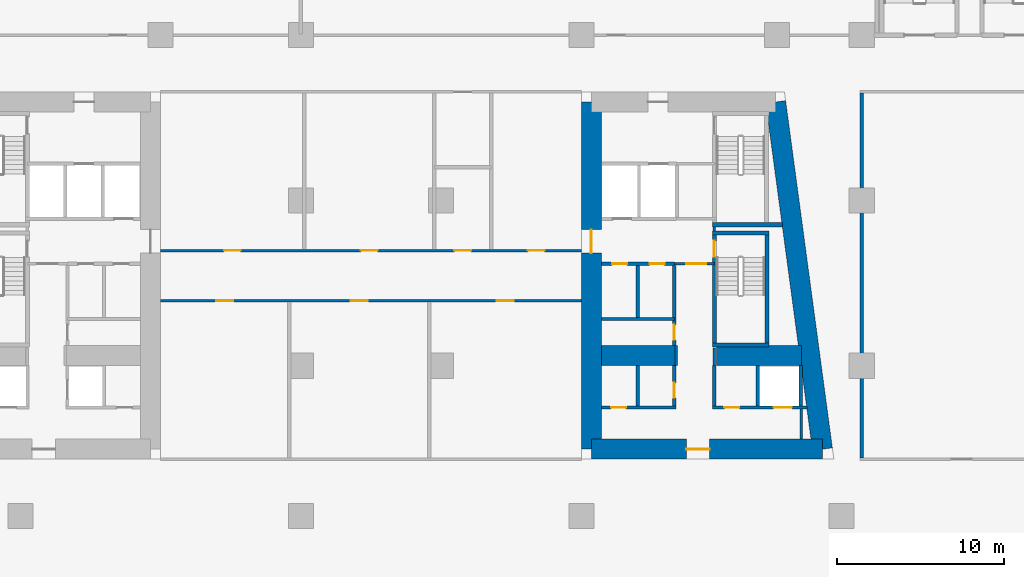
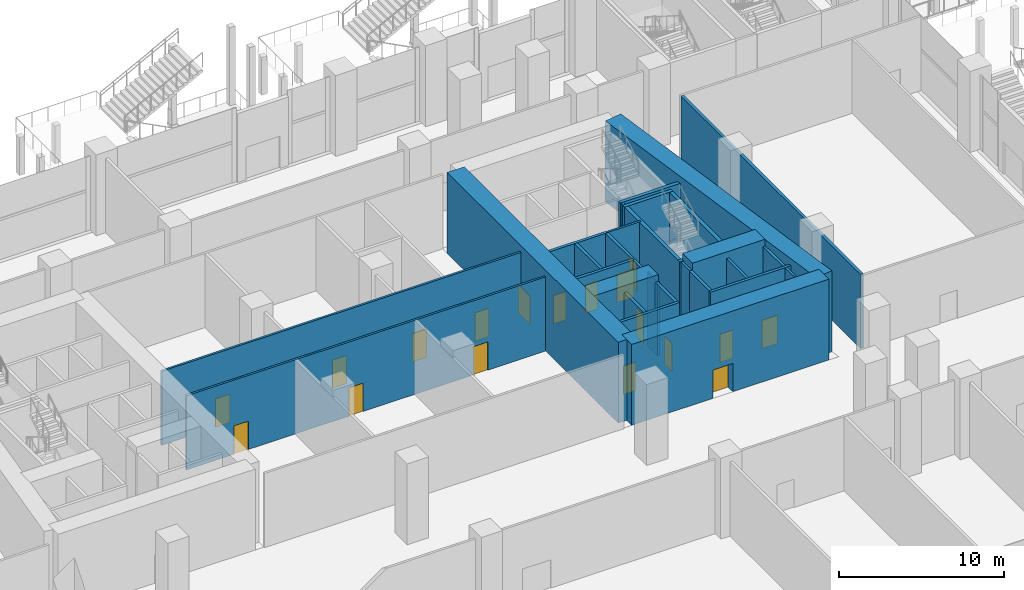
# One storey, part 23 of 47: 29 walls, 18 doors, 18 openings.
"""IFC4 building model written with IfcOpenShell, lengths in metres."""

import ifcopenshell
import ifcopenshell.guid

model = None  # the IFC model being written
_history = None  # IfcOwnerHistory: only IFC2X3 demands one
_inside = {}  # id of a spatial element -> (the spatial element, [elements in it])
_under = {}  # id of a project, library or spatial element -> (it, [spatial elements below it])
_declared = {}  # id of a project -> (the project, [libraries it declares])
_typed = {}  # id of a type object -> (the type object, [elements of that type])
_made_of = {}  # id of a material, layer set ... -> (it, [elements and type objects made of it])


def new_model(schema):
    """Start an empty IFC model of exactly this schema.

    Asked for "IFC4X3", IfcOpenShell would pick the latest addendum, in which some entities
    have other attributes; the version numbers below select the first issue.
    IFC2X3 requires an IfcOwnerHistory on every rooted entity: one is made here for all.
    """
    global model, _history
    if schema == "IFC4X3":
        model = ifcopenshell.file(schema_version=(4, 3, 0, 0))
    else:
        model = ifcopenshell.file(schema=schema)
    _inside.clear()
    _under.clear()
    _declared.clear()
    _typed.clear()
    _made_of.clear()
    _history = None
    if model.schema == "IFC2X3":
        org = make("IfcOrganization", Name="unknown")
        user = make(
            "IfcPersonAndOrganization",
            ThePerson=make("IfcPerson", FamilyName="unknown"),
            TheOrganization=org,
        )
        app = make(
            "IfcApplication",
            ApplicationDeveloper=org,
            Version="unknown",
            ApplicationFullName="unknown",
            ApplicationIdentifier="unknown",
        )
        _history = make(
            "IfcOwnerHistory",
            OwningUser=user,
            OwningApplication=app,
            ChangeAction="ADDED",
            CreationDate=0,
        )
    return model


def make(cls, **values):
    """One entity of the class cls with the attributes given. An attribute that is None is left unset."""
    return model.create_entity(
        cls, **{name: value for name, value in values.items() if value is not None}
    )


def rooted(cls, **values):
    """An entity with a GlobalId (a new one), such as an element, a storey or a relation."""
    return make(cls, GlobalId=ifcopenshell.guid.new(), OwnerHistory=_history, **values)


def si_unit(unit_type, name, prefix=None):
    """IfcSIUnit, for example si_unit("LENGTHUNIT", "METRE", prefix="MILLI")."""
    return make("IfcSIUnit", UnitType=unit_type, Prefix=prefix, Name=name)


def assignment(units):
    """IfcUnitAssignment: the units of a project."""
    return None if units is None else make("IfcUnitAssignment", Units=units)


def point(xyz):
    """IfcCartesianPoint."""
    return None if xyz is None else make("IfcCartesianPoint", Coordinates=xyz)


def direction(xyz):
    """IfcDirection."""
    return None if xyz is None else make("IfcDirection", DirectionRatios=xyz)


def frame(location, z_axis=None, x_axis=None):
    """IfcAxis2Placement3D, a coordinate frame: its origin and axes. An axis left out is left unset."""
    return make(
        "IfcAxis2Placement3D",
        Location=point(location),
        Axis=direction(z_axis),
        RefDirection=direction(x_axis),
    )


def frame_2d(location, x_axis=None):
    """IfcAxis2Placement2D, a coordinate frame in the plane: its origin and x axis."""
    return make(
        "IfcAxis2Placement2D", Location=point(location), RefDirection=direction(x_axis)
    )


def origin():
    """The frame at (0, 0, 0) with its axes left unset."""
    return frame((0.0, 0.0, 0.0))


def place(relative_to, where):
    """IfcLocalPlacement: puts the frame where relative to a parent placement (None: the world)."""
    return make(
        "IfcLocalPlacement", PlacementRelTo=relative_to, RelativePlacement=where
    )


def context(
    kind, dimensions, precision=None, world=None, true_north=None, identifier=None
):
    """IfcGeometricRepresentationContext, for example the 3D "Model" context."""
    return make(
        "IfcGeometricRepresentationContext",
        ContextIdentifier=identifier,
        ContextType=kind,
        CoordinateSpaceDimension=dimensions,
        Precision=precision,
        WorldCoordinateSystem=world,
        TrueNorth=true_north,
    )


def subcontext(parent, identifier, kind, view, scale=None):
    """IfcGeometricRepresentationSubContext, for example "Body" below "Model"."""
    return make(
        "IfcGeometricRepresentationSubContext",
        ContextIdentifier=identifier,
        ContextType=kind,
        ParentContext=parent,
        TargetScale=scale,
        TargetView=view,
    )


def project(units=None, contexts=None):
    """IfcProject with its units and contexts."""
    return rooted(
        "IfcProject",
        Name="project",
        RepresentationContexts=contexts,
        UnitsInContext=assignment(units),
    )


def spatial(cls, under=None, at=None, **own):
    """A site, building, storey or space (cls), placed at a placement, below another one or the project."""
    s = rooted(cls, ObjectPlacement=at, **own)
    if under is not None:
        _under.setdefault(under.id(), (under, []))[1].append(s)
    return s


def profile(cls, at=None, kind="AREA", **sizes):
    """A parametric profile (cls). Its sizes go by their IFC names, for example OverallWidth=200.0."""
    return make(cls, ProfileType=kind, Position=at, **sizes)


def rectangle(**sizes):
    """IfcRectangleProfileDef."""
    return profile("IfcRectangleProfileDef", **sizes)


def extrude(swept, where, along, depth):
    """IfcExtrudedAreaSolid: the profile swept, set in the frame where, extruded along a direction by depth."""
    return make(
        "IfcExtrudedAreaSolid",
        SweptArea=swept,
        Position=where,
        ExtrudedDirection=direction(along),
        Depth=depth,
    )


def shape(context_of_items, identifier, shape_type, items):
    """IfcShapeRepresentation: the items that make up one representation, for example the "Body"."""
    return make(
        "IfcShapeRepresentation",
        ContextOfItems=context_of_items,
        RepresentationIdentifier=identifier,
        RepresentationType=shape_type,
        Items=items,
    )


def material(Name=None, Category=None):
    """IfcMaterial."""
    return make("IfcMaterial", Name=Name, Category=Category)


def layer(
    of_material, thickness, ventilated=None, Name=None, Category=None, Priority=None
):
    """IfcMaterialLayer: one layer of a wall or slab, of a material (None: an air gap)."""
    return make(
        "IfcMaterialLayer",
        Material=of_material,
        LayerThickness=thickness,
        IsVentilated=ventilated,
        Name=Name,
        Category=Category,
        Priority=Priority,
    )


def layer_set(layers, Name=None):
    """IfcMaterialLayerSet."""
    return make("IfcMaterialLayerSet", MaterialLayers=layers, LayerSetName=Name)


def made_of(thing, what):
    """Note that an element or type object is made of a material, layer set ...; save() writes the relation."""
    if what is not None:
        _made_of.setdefault(what.id(), (what, []))[1].append(thing)
    return thing


def type_object(cls, material=None, **own):
    """A type object (cls), such as IfcWallType, which elements share."""
    return made_of(rooted(cls, **own), material)


def element(
    cls,
    number,
    at=None,
    inside=None,
    cuts=None,
    type_object=None,
    material=None,
    context=None,
    identifier="Body",
    shape_type=None,
    held_by="IfcProductDefinitionShape",
    body=None,
    shapes=None,
    **own,
):
    """One element of the class cls, such as IfcWall. Its Tag is "e" and its number.

    at: its placement. inside: the storey or other place that contains it. cuts: it is an
    opening in that element (IfcRelVoidsElement). A single representation is given by context,
    identifier, shape_type and body (its items); several are given by shapes. held_by: the class
    of the entity that holds the representations. save() writes the other relations.
    """
    e = rooted(cls, Tag="e%d" % number, ObjectPlacement=at, **own)
    if body is not None:
        shapes = [shape(context, identifier, shape_type, body)]
    if shapes is not None:
        e.Representation = make(held_by, Representations=shapes)
    if inside is not None:
        _inside.setdefault(inside.id(), (inside, []))[1].append(e)
    if cuts is not None:
        rooted(
            "IfcRelVoidsElement", RelatingBuildingElement=cuts, RelatedOpeningElement=e
        )
    if type_object is not None:
        _typed.setdefault(type_object.id(), (type_object, []))[1].append(e)
    return made_of(e, material)


def fill(opening, filler):
    """IfcRelFillsElement: the door or window that sits in an opening."""
    return rooted(
        "IfcRelFillsElement",
        RelatingOpeningElement=opening,
        RelatedBuildingElement=filler,
    )


def aggregate(whole, parts):
    """IfcRelAggregates: a whole, such as a stair, and the parts it consists of."""
    return rooted("IfcRelAggregates", RelatingObject=whole, RelatedObjects=parts)


def save(model, path):
    """Write the relations noted so far, then the file.

    IfcRelAggregates (storeys below a building ...), IfcRelContainedInSpatialStructure (elements
    in a storey), IfcRelDefinesByType, IfcRelAssociatesMaterial and IfcRelDeclares: one each for
    every whole, place, type object, material and project.
    """
    for whole, parts in _under.values():
        aggregate(whole, parts)
    for where, things in _inside.values():
        rooted(
            "IfcRelContainedInSpatialStructure",
            RelatedElements=things,
            RelatingStructure=where,
        )
    for kind, things in _typed.values():
        rooted("IfcRelDefinesByType", RelatedObjects=things, RelatingType=kind)
    for what, things in _made_of.values():
        rooted("IfcRelAssociatesMaterial", RelatedObjects=things, RelatingMaterial=what)
    for by, libraries in _declared.values():
        rooted("IfcRelDeclares", RelatingContext=by, RelatedDefinitions=libraries)
    model.write(path)


model = new_model("IFC4")

# Units and contexts
model_context = context("Model", 3, precision=1e-05, world=origin(), true_north=direction((0.0, 1.0)))
body_context = subcontext(model_context, "Body", "Model", "MODEL_VIEW")
ifc_project = project(units=[si_unit("LENGTHUNIT", "METRE"), si_unit("AREAUNIT", "SQUARE_METRE"), si_unit("VOLUMEUNIT", "CUBIC_METRE"), si_unit("PLANEANGLEUNIT", "RADIAN"), si_unit("MASSUNIT", "GRAM", prefix="KILO")], contexts=[model_context])

# Site, building, storey
site_placement = place(None, origin())
site = spatial("IfcSite", under=ifc_project, at=site_placement, CompositionType="ELEMENT")
building_placement = place(site_placement, origin())
building = spatial("IfcBuilding", under=site, at=building_placement, Name="Candeia Pilgrim Tower and Theatre", CompositionType="ELEMENT")
storey_placement = place(building_placement, frame((0.0, 0.0, 23.0)))
storey = spatial("IfcBuildingStorey", under=building, at=storey_placement, Name="L03", CompositionType="ELEMENT", Elevation=23.0)

# Wall
ifc_material_1 = material(Name="Concrete C80/95", Category="concrete")
ifc_layer_1 = layer(ifc_material_1, 1.199951171875)
ifc_layer_set_1 = layer_set([ifc_layer_1], Name="Core wall 1200 C80/95")
wall_type_1 = type_object("IfcWallType", Name="Core wall 1200 C80/95", PredefinedType="SHEAR", material=ifc_layer_set_1)
wall_1_placement = place(storey_placement, frame((137.64453125, 131.800048828125, 0.0), z_axis=(0.0, 0.0, 1.0), x_axis=(0.133413989637, -0.99106039542, 0.0)))
element("IfcWall", 1, at=wall_1_placement, inside=storey, type_object=wall_type_1, Name="Core wall E2", PredefinedType="SHEAR", context=body_context, shape_type="SweptSolid", body=[
    extrude(rectangle(XDim=20.987548828125, YDim=1.199951171875, at=frame_2d((10.49365234375, 0.0))), origin(), (0.0, 0.0, 1.0), 6.0),
])

# Wall, opening, door
wall_2_placement = place(storey_placement, frame((140.444580078125, 111.0, 0.0), z_axis=(0.0, 0.0, 1.0), x_axis=(-1.0, 0.0, 0.0)))
wall_2 = element("IfcWall", 2, at=wall_2_placement, inside=storey, type_object=wall_type_1, Name="Core wall E3", PredefinedType="SHEAR", context=body_context, shape_type="SweptSolid", body=[
    extrude(rectangle(XDim=13.844482421875, YDim=1.199951171875, at=frame_2d((6.92236328125, 0.0))), origin(), (0.0, 0.0, 1.0), 6.0),
])
opening_1_placement = place(wall_2_placement, frame((6.751220703125, 0.0, 0.0)))
opening_1 = element("IfcOpeningElement", 3, at=opening_1_placement, cuts=wall_2, Name="Opening L03-D049", PredefinedType="OPENING", context=body_context, shape_type="SweptSolid", body=[
    extrude(rectangle(XDim=1.39990234375, YDim=2.10009765625, at=frame_2d((0.699951171875, 1.050048828125))), frame((0.0, 0.60986328125, 0.0), z_axis=(0.0, -1.0, 0.0), x_axis=(1.0, 0.0, 0.0)), (0.0, 0.0, 1.0), 1.219970703125),
])
ifc_material_2 = material(Name="Steel fire door set", Category="steel")
door_type_1 = type_object("IfcDoorType", Name="D-1400-FD60", OperationType="NOTDEFINED", PredefinedType="DOOR", material=ifc_material_2)
door_1_placement = place(opening_1_placement, origin())
door_1 = element("IfcDoor", 4, at=door_1_placement, inside=storey, type_object=door_type_1, Name="Door L03-D049", OperationType="SINGLE_SWING_RIGHT", OverallHeight=2.10009765625, OverallWidth=1.39990234375, PredefinedType="DOOR", context=body_context, shape_type="SweptSolid", body=[
    extrude(rectangle(XDim=1.39990234375, YDim=2.10009765625, at=frame_2d((0.699951171875, 1.050048828125))), frame((0.0, 0.02490234375, 0.0), z_axis=(0.0, -1.0, 0.0), x_axis=(1.0, 0.0, 0.0)), (0.0, 0.0, 1.0), 0.050048828125),
])
fill(opening_1, door_1)

wall_3_placement = place(storey_placement, frame((126.60009765625, 111.0, 0.0), z_axis=(0.0, 0.0, 1.0), x_axis=(0.0, 1.0, 0.0)))
wall_3 = element("IfcWall", 5, at=wall_3_placement, inside=storey, type_object=wall_type_1, Name="Core wall E4", PredefinedType="SHEAR", context=body_context, shape_type="SweptSolid", body=[
    extrude(rectangle(XDim=20.800048828125, YDim=1.199951171875, at=frame_2d((10.39990234375, 0.0))), origin(), (0.0, 0.0, 1.0), 6.0),
])
opening_2_placement = place(wall_3_placement, frame((11.75, 0.0, 0.0)))
opening_2 = element("IfcOpeningElement", 6, at=opening_2_placement, cuts=wall_3, Name="Opening L03-D051", PredefinedType="OPENING", context=body_context, shape_type="SweptSolid", body=[
    extrude(rectangle(XDim=1.39990234375, YDim=2.10009765625, at=frame_2d((0.699951171875, 1.050048828125))), frame((0.0, 0.60986328125, 0.0), z_axis=(0.0, -1.0, 0.0), x_axis=(1.0, 0.0, 0.0)), (0.0, 0.0, 1.0), 1.219970703125),
])
door_2_placement = place(opening_2_placement, origin())
door_2 = element("IfcDoor", 7, at=door_2_placement, inside=storey, type_object=door_type_1, Name="Door L03-D051", OperationType="SINGLE_SWING_RIGHT", OverallHeight=2.10009765625, OverallWidth=1.39990234375, PredefinedType="DOOR", context=body_context, shape_type="SweptSolid", body=[
    extrude(rectangle(XDim=1.39990234375, YDim=2.10009765625, at=frame_2d((0.699951171875, 1.050048828125))), frame((0.0, 0.02490234375, 0.0), z_axis=(0.0, -1.0, 0.0), x_axis=(1.0, 0.0, 0.0)), (0.0, 0.0, 1.0), 0.050048828125),
])
fill(opening_2, door_2)

# Walls
wall_4_placement = place(storey_placement, frame((127.199951171875, 116.60009765625, 0.0), z_axis=(0.0, 0.0, 1.0), x_axis=(1.0, 0.0, 0.0)))
element("IfcWall", 8, at=wall_4_placement, inside=storey, type_object=wall_type_1, Name="Core wall E5", PredefinedType="SHEAR", context=body_context, shape_type="SweptSolid", body=[
    extrude(rectangle(XDim=4.5, YDim=1.199951171875, at=frame_2d((2.25, 0.0))), origin(), (0.0, 0.0, 1.0), 6.0),
])
wall_5_placement = place(storey_placement, frame((134.10009765625, 116.60009765625, 0.0), z_axis=(0.0, 0.0, 1.0), x_axis=(1.0, 0.0, 0.0)))
element("IfcWall", 9, at=wall_5_placement, inside=storey, type_object=wall_type_1, Name="Core wall E6", PredefinedType="SHEAR", context=body_context, shape_type="SweptSolid", body=[
    extrude(rectangle(XDim=5.076904296875, YDim=1.199951171875, at=frame_2d((2.53857421875, 0.0))), origin(), (0.0, 0.0, 1.0), 6.0),
])

# Wall, opening, door
ifc_material_3 = material(Name="Gypsum board partition on steel studs", Category="steel")
ifc_layer_2 = layer(ifc_material_3, 0.14990234375)
ifc_layer_set_2 = layer_set([ifc_layer_2], Name="PW-150 lobby wall")
wall_type_2 = type_object("IfcWallType", Name="PW-150 lobby wall", PredefinedType="PARTITIONING", material=ifc_layer_set_2)
wall_6_placement = place(storey_placement, frame((131.572998046875, 122.10009765625, 0.0), z_axis=(0.0, 0.0, 1.0), x_axis=(1.0, 0.0, 0.0)))
wall_6 = element("IfcWall", 10, at=wall_6_placement, inside=storey, type_object=wall_type_2, Name="Lobby wall L03-017", PredefinedType="PARTITIONING", context=body_context, shape_type="SweptSolid", body=[
    extrude(rectangle(XDim=2.39990234375, YDim=0.14990234375, at=frame_2d((1.199951171875, 0.0))), origin(), (0.0, 0.0, 1.0), 5.5),
])
opening_3_placement = place(wall_6_placement, frame((0.72509765625, 0.0, 0.0)))
opening_3 = element("IfcOpeningElement", 11, at=opening_3_placement, cuts=wall_6, Name="Opening L03-D037", PredefinedType="OPENING", context=body_context, shape_type="SweptSolid", body=[
    extrude(rectangle(XDim=1.199951171875, YDim=2.10009765625, at=frame_2d((0.60009765625, 1.050048828125))), frame((0.0, 0.0849609375, 0.0), z_axis=(0.0, -1.0, 0.0), x_axis=(1.0, 0.0, 0.0)), (0.0, 0.0, 1.0), 0.169921875),
])
door_type_2 = type_object("IfcDoorType", Name="D-1200-FD60", OperationType="NOTDEFINED", PredefinedType="DOOR", material=ifc_material_2)
door_3_placement = place(opening_3_placement, origin())
door_3 = element("IfcDoor", 12, at=door_3_placement, inside=storey, type_object=door_type_2, Name="Door L03-D037", OperationType="SINGLE_SWING_LEFT", OverallHeight=2.10009765625, OverallWidth=1.199951171875, PredefinedType="DOOR", context=body_context, shape_type="SweptSolid", body=[
    extrude(rectangle(XDim=1.199951171875, YDim=2.10009765625, at=frame_2d((0.60009765625, 1.050048828125))), frame((0.0, 0.02490234375, 0.0), z_axis=(0.0, -1.0, 0.0), x_axis=(1.0, 0.0, 0.0)), (0.0, 0.0, 1.0), 0.050048828125),
])
fill(opening_3, door_3)

# Walls
wall_7_placement = place(storey_placement, frame((131.699951171875, 116.0, 0.0), z_axis=(0.0, 0.0, 1.0), x_axis=(0.0, 1.0, 0.0)))
element("IfcWall", 13, at=wall_7_placement, inside=storey, type_object=wall_type_2, Name="Lobby wall L03-080", PredefinedType="PARTITIONING", context=body_context, shape_type="SweptSolid", body=[
    extrude(rectangle(XDim=1.199951171875, YDim=0.14990234375, at=frame_2d((0.60009765625, 0.0))), origin(), (0.0, 0.0, 1.0), 5.5),
])
wall_8_placement = place(storey_placement, frame((133.972900390625, 116.0, 0.0), z_axis=(0.0, 0.0, 1.0), x_axis=(0.0, 1.0, 0.0)))
element("IfcWall", 14, at=wall_8_placement, inside=storey, type_object=wall_type_2, Name="Lobby wall L03-083", PredefinedType="PARTITIONING", context=body_context, shape_type="SweptSolid", body=[
    extrude(rectangle(XDim=1.074951171875, YDim=0.14990234375, at=frame_2d((0.53759765625, 0.0))), origin(), (0.0, 0.0, 1.0), 5.5),
])
wall_9_placement = place(storey_placement, frame((133.972900390625, 124.074951171875, 0.0), z_axis=(0.0, 0.0, 1.0), x_axis=(0.0, 1.0, 0.0)))
element("IfcWall", 15, at=wall_9_placement, inside=storey, type_object=wall_type_2, Name="Lobby wall L03-084", PredefinedType="PARTITIONING", context=body_context, shape_type="SweptSolid", body=[
    extrude(rectangle(XDim=0.25, YDim=0.14990234375, at=frame_2d((0.125, 0.0))), origin(), (0.0, 0.0, 1.0), 5.5),
])
wall_10_placement = place(storey_placement, frame((139.1689453125, 111.60009765625, 0.0), z_axis=(0.0, 0.0, 1.0), x_axis=(0.0, 1.0, 0.0)))
element("IfcWall", 16, at=wall_10_placement, inside=storey, type_object=wall_type_2, Name="Lobby wall L03-092", PredefinedType="PARTITIONING", context=body_context, shape_type="SweptSolid", body=[
    extrude(rectangle(XDim=1.7998046875, YDim=0.14990234375, at=frame_2d((0.89990234375, 0.0))), origin(), (0.0, 0.0, 1.0), 5.5),
])

# Wall, openings, doors
ifc_layer_3 = layer(ifc_material_3, 0.14990234375)
ifc_layer_set_3 = layer_set([ifc_layer_3], Name="PW-150 unit wall")
wall_type_3 = type_object("IfcWallType", Name="PW-150 unit wall", PredefinedType="PARTITIONING", material=ifc_layer_set_3)
wall_11_placement = place(storey_placement, frame((100.800048828125, 119.89990234375, 0.0), z_axis=(0.0, 0.0, 1.0), x_axis=(1.0, 0.0, 0.0)))
wall_11 = element("IfcWall", 17, at=wall_11_placement, inside=storey, type_object=wall_type_3, Name="Unit wall L03-013", PredefinedType="PARTITIONING", context=body_context, shape_type="SweptSolid", body=[
    extrude(rectangle(XDim=25.199951171875, YDim=0.14990234375, at=frame_2d((12.60009765625, 0.0))), origin(), (0.0, 0.0, 1.0), 5.5),
])
opening_4_placement = place(wall_11_placement, frame((3.35009765625, 0.0, 0.0)))
opening_4 = element("IfcOpeningElement", 18, at=opening_4_placement, cuts=wall_11, Name="Opening L03-D011", PredefinedType="OPENING", context=body_context, shape_type="SweptSolid", body=[
    extrude(rectangle(XDim=1.0, YDim=2.10009765625, at=frame_2d((0.5, 1.050048828125))), frame((0.0, 0.0849609375, 0.0), z_axis=(0.0, -1.0, 0.0), x_axis=(1.0, 0.0, 0.0)), (0.0, 0.0, 1.0), 0.169921875),
])
opening_5_placement = place(wall_11_placement, frame((11.39990234375, 0.0, 0.0)))
opening_5 = element("IfcOpeningElement", 19, at=opening_5_placement, cuts=wall_11, Name="Opening L03-D012", PredefinedType="OPENING", context=body_context, shape_type="SweptSolid", body=[
    extrude(rectangle(XDim=1.0, YDim=2.10009765625, at=frame_2d((0.5, 1.050048828125))), frame((0.0, 0.0849609375, 0.0), z_axis=(0.0, -1.0, 0.0), x_axis=(1.0, 0.0, 0.0)), (0.0, 0.0, 1.0), 0.169921875),
])
opening_6_placement = place(wall_11_placement, frame((20.14990234375, 0.0, 0.0)))
opening_6 = element("IfcOpeningElement", 20, at=opening_6_placement, cuts=wall_11, Name="Opening L03-D013", PredefinedType="OPENING", context=body_context, shape_type="SweptSolid", body=[
    extrude(rectangle(XDim=1.0, YDim=2.10009765625, at=frame_2d((0.5, 1.050048828125))), frame((0.0, 0.0849609375, 0.0), z_axis=(0.0, -1.0, 0.0), x_axis=(1.0, 0.0, 0.0)), (0.0, 0.0, 1.0), 0.169921875),
])
door_type_3 = type_object("IfcDoorType", Name="D-1000-FD30S", OperationType="NOTDEFINED", PredefinedType="DOOR", material=ifc_material_2)
door_4_placement = place(opening_4_placement, origin())
door_4 = element("IfcDoor", 21, at=door_4_placement, inside=storey, type_object=door_type_3, Name="Door L03-D011", OperationType="SINGLE_SWING_RIGHT", OverallHeight=2.10009765625, OverallWidth=1.0, PredefinedType="DOOR", context=body_context, shape_type="SweptSolid", body=[
    extrude(rectangle(XDim=1.0, YDim=2.10009765625, at=frame_2d((0.5, 1.050048828125))), frame((0.0, 0.02490234375, 0.0), z_axis=(0.0, -1.0, 0.0), x_axis=(1.0, 0.0, 0.0)), (0.0, 0.0, 1.0), 0.050048828125),
])
fill(opening_4, door_4)
door_5_placement = place(opening_5_placement, origin())
door_5 = element("IfcDoor", 22, at=door_5_placement, inside=storey, type_object=door_type_3, Name="Door L03-D012", OperationType="SINGLE_SWING_LEFT", OverallHeight=2.10009765625, OverallWidth=1.0, PredefinedType="DOOR", context=body_context, shape_type="SweptSolid", body=[
    extrude(rectangle(XDim=1.0, YDim=2.10009765625, at=frame_2d((0.5, 1.050048828125))), frame((0.0, 0.02490234375, 0.0), z_axis=(0.0, -1.0, 0.0), x_axis=(1.0, 0.0, 0.0)), (0.0, 0.0, 1.0), 0.050048828125),
])
fill(opening_5, door_5)
door_6_placement = place(opening_6_placement, origin())
door_6 = element("IfcDoor", 23, at=door_6_placement, inside=storey, type_object=door_type_3, Name="Door L03-D013", OperationType="SINGLE_SWING_RIGHT", OverallHeight=2.10009765625, OverallWidth=1.0, PredefinedType="DOOR", context=body_context, shape_type="SweptSolid", body=[
    extrude(rectangle(XDim=1.0, YDim=2.10009765625, at=frame_2d((0.5, 1.050048828125))), frame((0.0, 0.02490234375, 0.0), z_axis=(0.0, -1.0, 0.0), x_axis=(1.0, 0.0, 0.0)), (0.0, 0.0, 1.0), 0.050048828125),
])
fill(opening_6, door_6)

wall_12_placement = place(storey_placement, frame((100.800048828125, 122.89990234375, 0.0), z_axis=(0.0, 0.0, 1.0), x_axis=(1.0, 0.0, 0.0)))
wall_12 = element("IfcWall", 24, at=wall_12_placement, inside=storey, type_object=wall_type_3, Name="Unit wall L03-018", PredefinedType="PARTITIONING", context=body_context, shape_type="SweptSolid", body=[
    extrude(rectangle(XDim=25.199951171875, YDim=0.14990234375, at=frame_2d((12.60009765625, 0.0))), origin(), (0.0, 0.0, 1.0), 5.5),
])
opening_7_placement = place(wall_12_placement, frame((3.800048828125, 0.0, 0.0)))
opening_7 = element("IfcOpeningElement", 25, at=opening_7_placement, cuts=wall_12, Name="Opening L03-D014", PredefinedType="OPENING", context=body_context, shape_type="SweptSolid", body=[
    extrude(rectangle(XDim=1.0, YDim=2.10009765625, at=frame_2d((0.5, 1.050048828125))), frame((0.0, 0.0849609375, 0.0), z_axis=(0.0, -1.0, 0.0), x_axis=(1.0, 0.0, 0.0)), (0.0, 0.0, 1.0), 0.169921875),
])
opening_8_placement = place(wall_12_placement, frame((12.0, 0.0, 0.0)))
opening_8 = element("IfcOpeningElement", 26, at=opening_8_placement, cuts=wall_12, Name="Opening L03-D015", PredefinedType="OPENING", context=body_context, shape_type="SweptSolid", body=[
    extrude(rectangle(XDim=1.0, YDim=2.10009765625, at=frame_2d((0.5, 1.050048828125))), frame((0.0, 0.0849609375, 0.0), z_axis=(0.0, -1.0, 0.0), x_axis=(1.0, 0.0, 0.0)), (0.0, 0.0, 1.0), 0.169921875),
])
opening_9_placement = place(wall_12_placement, frame((17.60009765625, 0.0, 0.0)))
opening_9 = element("IfcOpeningElement", 27, at=opening_9_placement, cuts=wall_12, Name="Opening L03-D016", PredefinedType="OPENING", context=body_context, shape_type="SweptSolid", body=[
    extrude(rectangle(XDim=1.0, YDim=2.10009765625, at=frame_2d((0.5, 1.050048828125))), frame((0.0, 0.0849609375, 0.0), z_axis=(0.0, -1.0, 0.0), x_axis=(1.0, 0.0, 0.0)), (0.0, 0.0, 1.0), 0.169921875),
])
opening_10_placement = place(wall_12_placement, frame((22.0, 0.0, 0.0)))
opening_10 = element("IfcOpeningElement", 28, at=opening_10_placement, cuts=wall_12, Name="Opening L03-D017", PredefinedType="OPENING", context=body_context, shape_type="SweptSolid", body=[
    extrude(rectangle(XDim=1.0, YDim=2.10009765625, at=frame_2d((0.5, 1.050048828125))), frame((0.0, 0.0849609375, 0.0), z_axis=(0.0, -1.0, 0.0), x_axis=(1.0, 0.0, 0.0)), (0.0, 0.0, 1.0), 0.169921875),
])
door_7_placement = place(opening_7_placement, origin())
door_7 = element("IfcDoor", 29, at=door_7_placement, inside=storey, type_object=door_type_3, Name="Door L03-D014", OperationType="SINGLE_SWING_LEFT", OverallHeight=2.10009765625, OverallWidth=1.0, PredefinedType="DOOR", context=body_context, shape_type="SweptSolid", body=[
    extrude(rectangle(XDim=1.0, YDim=2.10009765625, at=frame_2d((0.5, 1.050048828125))), frame((0.0, 0.02490234375, 0.0), z_axis=(0.0, -1.0, 0.0), x_axis=(1.0, 0.0, 0.0)), (0.0, 0.0, 1.0), 0.050048828125),
])
fill(opening_7, door_7)
door_8_placement = place(opening_8_placement, origin())
door_8 = element("IfcDoor", 30, at=door_8_placement, inside=storey, type_object=door_type_3, Name="Door L03-D015", OperationType="SINGLE_SWING_RIGHT", OverallHeight=2.10009765625, OverallWidth=1.0, PredefinedType="DOOR", context=body_context, shape_type="SweptSolid", body=[
    extrude(rectangle(XDim=1.0, YDim=2.10009765625, at=frame_2d((0.5, 1.050048828125))), frame((0.0, 0.02490234375, 0.0), z_axis=(0.0, -1.0, 0.0), x_axis=(1.0, 0.0, 0.0)), (0.0, 0.0, 1.0), 0.050048828125),
])
fill(opening_8, door_8)
door_9_placement = place(opening_9_placement, origin())
door_9 = element("IfcDoor", 31, at=door_9_placement, inside=storey, type_object=door_type_3, Name="Door L03-D016", OperationType="SINGLE_SWING_LEFT", OverallHeight=2.10009765625, OverallWidth=1.0, PredefinedType="DOOR", context=body_context, shape_type="SweptSolid", body=[
    extrude(rectangle(XDim=1.0, YDim=2.10009765625, at=frame_2d((0.5, 1.050048828125))), frame((0.0, 0.02490234375, 0.0), z_axis=(0.0, -1.0, 0.0), x_axis=(1.0, 0.0, 0.0)), (0.0, 0.0, 1.0), 0.050048828125),
])
fill(opening_9, door_9)
door_10_placement = place(opening_10_placement, origin())
door_10 = element("IfcDoor", 32, at=door_10_placement, inside=storey, type_object=door_type_3, Name="Door L03-D017", OperationType="SINGLE_SWING_RIGHT", OverallHeight=2.10009765625, OverallWidth=1.0, PredefinedType="DOOR", context=body_context, shape_type="SweptSolid", body=[
    extrude(rectangle(XDim=1.0, YDim=2.10009765625, at=frame_2d((0.5, 1.050048828125))), frame((0.0, 0.02490234375, 0.0), z_axis=(0.0, -1.0, 0.0), x_axis=(1.0, 0.0, 0.0)), (0.0, 0.0, 1.0), 0.050048828125),
])
fill(opening_10, door_10)

# Wall
ifc_layer_4 = layer(ifc_material_3, 0.199951171875)
ifc_layer_set_4 = layer_set([ifc_layer_4], Name="PW-200 party wall")
wall_type_4 = type_object("IfcWallType", Name="PW-200 party wall", PredefinedType="PARTITIONING", material=ifc_layer_set_4)
wall_13_placement = place(storey_placement, frame((142.800048828125, 110.47509765625, 0.0), z_axis=(0.0, 0.0, 1.0), x_axis=(0.0, 1.0, 0.0)))
element("IfcWall", 33, at=wall_13_placement, inside=storey, type_object=wall_type_4, Name="Party wall L03-094", PredefinedType="PARTITIONING", context=body_context, shape_type="SweptSolid", body=[
    extrude(rectangle(XDim=21.849853515625, YDim=0.199951171875, at=frame_2d((10.9248046875, 0.0))), origin(), (0.0, 0.0, 1.0), 5.5),
])

# Wall, opening, door
ifc_material_4 = material(Name="Concrete C40/50", Category="concrete")
ifc_layer_5 = layer(ifc_material_4, 0.199951171875)
ifc_layer_set_5 = layer_set([ifc_layer_5], Name="SW-200 shaft wall")
wall_type_5 = type_object("IfcWallType", Name="SW-200 shaft wall", PredefinedType="PARTITIONING", material=ifc_layer_set_5)
wall_14_placement = place(storey_placement, frame((127.199951171875, 113.5, 0.0), z_axis=(0.0, 0.0, 1.0), x_axis=(1.0, 0.0, 0.0)))
wall_14 = element("IfcWall", 34, at=wall_14_placement, inside=storey, type_object=wall_type_5, Name="Shaft wall L03-007", PredefinedType="PARTITIONING", context=body_context, shape_type="SweptSolid", body=[
    extrude(rectangle(XDim=4.47314453125, YDim=0.199951171875, at=frame_2d((2.236572265625, 0.0))), origin(), (0.0, 0.0, 1.0), 5.5),
])
opening_11_placement = place(wall_14_placement, frame((0.5849609375, 0.0, 0.0)))
opening_11 = element("IfcOpeningElement", 35, at=opening_11_placement, cuts=wall_14, Name="Opening L03-D045", PredefinedType="OPENING", context=body_context, shape_type="SweptSolid", body=[
    extrude(rectangle(XDim=0.89990234375, YDim=2.10009765625, at=frame_2d((0.449951171875, 1.050048828125))), frame((0.0, 0.10986328125, 0.0), z_axis=(0.0, -1.0, 0.0), x_axis=(1.0, 0.0, 0.0)), (0.0, 0.0, 1.0), 0.219970703125),
])
door_type_4 = type_object("IfcDoorType", Name="D-900-FD60", OperationType="NOTDEFINED", PredefinedType="DOOR", material=ifc_material_2)
door_11_placement = place(opening_11_placement, origin())
door_11 = element("IfcDoor", 36, at=door_11_placement, inside=storey, type_object=door_type_4, Name="Door L03-D045", OperationType="SINGLE_SWING_RIGHT", OverallHeight=2.10009765625, OverallWidth=0.89990234375, PredefinedType="DOOR", context=body_context, shape_type="SweptSolid", body=[
    extrude(rectangle(XDim=0.89990234375, YDim=2.10009765625, at=frame_2d((0.449951171875, 1.050048828125))), frame((0.0, 0.02490234375, 0.0), z_axis=(0.0, -1.0, 0.0), x_axis=(1.0, 0.0, 0.0)), (0.0, 0.0, 1.0), 0.050048828125),
])
fill(opening_11, door_11)

# Wall, openings, doors
wall_15_placement = place(storey_placement, frame((133.873046875, 113.5, 0.0), z_axis=(0.0, 0.0, 1.0), x_axis=(1.0, 0.0, 0.0)))
wall_15 = element("IfcWall", 37, at=wall_15_placement, inside=storey, type_object=wall_type_5, Name="Shaft wall L03-008", PredefinedType="PARTITIONING", context=body_context, shape_type="SweptSolid", body=[
    extrude(rectangle(XDim=5.65966796875, YDim=0.199951171875, at=frame_2d((2.829833984375, 0.0))), origin(), (0.0, 0.0, 1.0), 5.5),
])
opening_12_placement = place(wall_15_placement, frame((3.64599609375, 0.0, 0.0)))
opening_12 = element("IfcOpeningElement", 38, at=opening_12_placement, cuts=wall_15, Name="Opening L03-LD08", PredefinedType="OPENING", context=body_context, shape_type="SweptSolid", body=[
    extrude(rectangle(XDim=1.10009765625, YDim=2.10009765625, at=frame_2d((0.550048828125, 1.050048828125))), frame((0.0, 0.10986328125, 0.0), z_axis=(0.0, -1.0, 0.0), x_axis=(1.0, 0.0, 0.0)), (0.0, 0.0, 1.0), 0.219970703125),
])
opening_13_placement = place(wall_15_placement, frame((0.699951171875, 0.0, 0.0)))
opening_13 = element("IfcOpeningElement", 39, at=opening_13_placement, cuts=wall_15, Name="Opening L03-D043", PredefinedType="OPENING", context=body_context, shape_type="SweptSolid", body=[
    extrude(rectangle(XDim=0.89990234375, YDim=2.10009765625, at=frame_2d((0.449951171875, 1.050048828125))), frame((0.0, 0.10986328125, 0.0), z_axis=(0.0, -1.0, 0.0), x_axis=(1.0, 0.0, 0.0)), (0.0, 0.0, 1.0), 0.219970703125),
])
door_12_placement = place(opening_13_placement, origin())
door_12 = element("IfcDoor", 40, at=door_12_placement, inside=storey, type_object=door_type_4, Name="Door L03-D043", OperationType="SINGLE_SWING_RIGHT", OverallHeight=2.10009765625, OverallWidth=0.89990234375, PredefinedType="DOOR", context=body_context, shape_type="SweptSolid", body=[
    extrude(rectangle(XDim=0.89990234375, YDim=2.10009765625, at=frame_2d((0.449951171875, 1.050048828125))), frame((0.0, 0.02490234375, 0.0), z_axis=(0.0, -1.0, 0.0), x_axis=(1.0, 0.0, 0.0)), (0.0, 0.0, 1.0), 0.050048828125),
])
fill(opening_13, door_12)
ifc_material_5 = material(Name="Glazed aluminium landing door", Category="aluminium")
door_type_5 = type_object("IfcDoorType", Name="LD-1100-EI120", OperationType="SLIDING_TO_LEFT", PredefinedType="DOOR", material=ifc_material_5)
door_13_placement = place(opening_12_placement, origin())
door_13 = element("IfcDoor", 41, at=door_13_placement, inside=storey, type_object=door_type_5, Name="Landing door 08 L03", OperationType="SLIDING_TO_LEFT", OverallHeight=2.10009765625, OverallWidth=1.10009765625, PredefinedType="DOOR", context=body_context, shape_type="SweptSolid", body=[
    extrude(rectangle(XDim=1.10009765625, YDim=2.10009765625, at=frame_2d((0.550048828125, 1.050048828125))), frame((0.0, 0.02490234375, 0.0), z_axis=(0.0, -1.0, 0.0), x_axis=(1.0, 0.0, 0.0)), (0.0, 0.0, 1.0), 0.050048828125),
])
fill(opening_12, door_13)

# Wall
wall_16_placement = place(storey_placement, frame((127.199951171875, 118.800048828125, 0.0), z_axis=(0.0, 0.0, 1.0), x_axis=(1.0, 0.0, 0.0)))
element("IfcWall", 42, at=wall_16_placement, inside=storey, type_object=wall_type_5, Name="Shaft wall L03-012", PredefinedType="PARTITIONING", context=body_context, shape_type="SweptSolid", body=[
    extrude(rectangle(XDim=4.373046875, YDim=0.199951171875, at=frame_2d((2.1865234375, 0.0))), origin(), (0.0, 0.0, 1.0), 5.5),
])

# Wall, openings, doors
wall_17_placement = place(storey_placement, frame((127.199951171875, 122.10009765625, 0.0), z_axis=(0.0, 0.0, 1.0), x_axis=(1.0, 0.0, 0.0)))
wall_17 = element("IfcWall", 43, at=wall_17_placement, inside=storey, type_object=wall_type_5, Name="Shaft wall L03-015", PredefinedType="PARTITIONING", context=body_context, shape_type="SweptSolid", body=[
    extrude(rectangle(XDim=4.373046875, YDim=0.199951171875, at=frame_2d((2.1865234375, 0.0))), origin(), (0.0, 0.0, 1.0), 5.5),
])
opening_14_placement = place(wall_17_placement, frame((2.887939453125, 0.0, 0.0)))
opening_14 = element("IfcOpeningElement", 44, at=opening_14_placement, cuts=wall_17, Name="Opening L03-D038", PredefinedType="OPENING", context=body_context, shape_type="SweptSolid", body=[
    extrude(rectangle(XDim=0.89990234375, YDim=2.10009765625, at=frame_2d((0.449951171875, 1.050048828125))), frame((0.0, 0.10986328125, 0.0), z_axis=(0.0, -1.0, 0.0), x_axis=(1.0, 0.0, 0.0)), (0.0, 0.0, 1.0), 0.219970703125),
])
opening_15_placement = place(wall_17_placement, frame((0.64306640625, 0.0, 0.0)))
opening_15 = element("IfcOpeningElement", 45, at=opening_15_placement, cuts=wall_17, Name="Opening L03-D039", PredefinedType="OPENING", context=body_context, shape_type="SweptSolid", body=[
    extrude(rectangle(XDim=0.89990234375, YDim=2.10009765625, at=frame_2d((0.449951171875, 1.050048828125))), frame((0.0, 0.10986328125, 0.0), z_axis=(0.0, -1.0, 0.0), x_axis=(1.0, 0.0, 0.0)), (0.0, 0.0, 1.0), 0.219970703125),
])
door_14_placement = place(opening_14_placement, origin())
door_14 = element("IfcDoor", 46, at=door_14_placement, inside=storey, type_object=door_type_4, Name="Door L03-D038", OperationType="SINGLE_SWING_RIGHT", OverallHeight=2.10009765625, OverallWidth=0.89990234375, PredefinedType="DOOR", context=body_context, shape_type="SweptSolid", body=[
    extrude(rectangle(XDim=0.89990234375, YDim=2.10009765625, at=frame_2d((0.449951171875, 1.050048828125))), frame((0.0, 0.02490234375, 0.0), z_axis=(0.0, -1.0, 0.0), x_axis=(1.0, 0.0, 0.0)), (0.0, 0.0, 1.0), 0.050048828125),
])
fill(opening_14, door_14)
door_15_placement = place(opening_15_placement, origin())
door_15 = element("IfcDoor", 47, at=door_15_placement, inside=storey, type_object=door_type_4, Name="Door L03-D039", OperationType="SINGLE_SWING_LEFT", OverallHeight=2.10009765625, OverallWidth=0.89990234375, PredefinedType="DOOR", context=body_context, shape_type="SweptSolid", body=[
    extrude(rectangle(XDim=0.89990234375, YDim=2.10009765625, at=frame_2d((0.449951171875, 1.050048828125))), frame((0.0, 0.02490234375, 0.0), z_axis=(0.0, -1.0, 0.0), x_axis=(1.0, 0.0, 0.0)), (0.0, 0.0, 1.0), 0.050048828125),
])
fill(opening_15, door_15)

# Walls
wall_18_placement = place(storey_placement, frame((129.386474609375, 113.60009765625, 0.0), z_axis=(0.0, 0.0, 1.0), x_axis=(0.0, 1.0, 0.0)))
element("IfcWall", 48, at=wall_18_placement, inside=storey, type_object=wall_type_5, Name="Shaft wall L03-075", PredefinedType="PARTITIONING", context=body_context, shape_type="SweptSolid", body=[
    extrude(rectangle(XDim=2.39990234375, YDim=0.199951171875, at=frame_2d((1.199951171875, 0.0))), origin(), (0.0, 0.0, 1.0), 5.5),
])
wall_19_placement = place(storey_placement, frame((129.386474609375, 118.89990234375, 0.0), z_axis=(0.0, 0.0, 1.0), x_axis=(0.0, 1.0, 0.0)))
element("IfcWall", 49, at=wall_19_placement, inside=storey, type_object=wall_type_5, Name="Shaft wall L03-076", PredefinedType="PARTITIONING", context=body_context, shape_type="SweptSolid", body=[
    extrude(rectangle(XDim=3.10009765625, YDim=0.199951171875, at=frame_2d((1.550048828125, 0.0))), origin(), (0.0, 0.0, 1.0), 5.5),
])

# Wall, opening, door
wall_20_placement = place(storey_placement, frame((131.572998046875, 113.60009765625, 0.0), z_axis=(0.0, 0.0, 1.0), x_axis=(0.0, 1.0, 0.0)))
wall_20 = element("IfcWall", 50, at=wall_20_placement, inside=storey, type_object=wall_type_5, Name="Shaft wall L03-078", PredefinedType="PARTITIONING", context=body_context, shape_type="SweptSolid", body=[
    extrude(rectangle(XDim=2.39990234375, YDim=0.199951171875, at=frame_2d((1.199951171875, 0.0))), origin(), (0.0, 0.0, 1.0), 5.5),
])
opening_16_placement = place(wall_20_placement, frame((0.47509765625, 0.0, 0.0)))
opening_16 = element("IfcOpeningElement", 51, at=opening_16_placement, cuts=wall_20, Name="Opening L03-D044", PredefinedType="OPENING", context=body_context, shape_type="SweptSolid", body=[
    extrude(rectangle(XDim=0.89990234375, YDim=2.10009765625, at=frame_2d((0.449951171875, 1.050048828125))), frame((0.0, 0.10986328125, 0.0), z_axis=(0.0, -1.0, 0.0), x_axis=(1.0, 0.0, 0.0)), (0.0, 0.0, 1.0), 0.219970703125),
])
door_16_placement = place(opening_16_placement, origin())
door_16 = element("IfcDoor", 52, at=door_16_placement, inside=storey, type_object=door_type_4, Name="Door L03-D044", OperationType="SINGLE_SWING_LEFT", OverallHeight=2.10009765625, OverallWidth=0.89990234375, PredefinedType="DOOR", context=body_context, shape_type="SweptSolid", body=[
    extrude(rectangle(XDim=0.89990234375, YDim=2.10009765625, at=frame_2d((0.449951171875, 1.050048828125))), frame((0.0, 0.02490234375, 0.0), z_axis=(0.0, -1.0, 0.0), x_axis=(1.0, 0.0, 0.0)), (0.0, 0.0, 1.0), 0.050048828125),
])
fill(opening_16, door_16)

wall_21_placement = place(storey_placement, frame((131.572998046875, 117.199951171875, 0.0), z_axis=(0.0, 0.0, 1.0), x_axis=(0.0, 1.0, 0.0)))
wall_21 = element("IfcWall", 53, at=wall_21_placement, inside=storey, type_object=wall_type_5, Name="Shaft wall L03-079", PredefinedType="PARTITIONING", context=body_context, shape_type="SweptSolid", body=[
    extrude(rectangle(XDim=4.800048828125, YDim=0.199951171875, at=frame_2d((2.39990234375, 0.0))), origin(), (0.0, 0.0, 1.0), 5.5),
])
opening_17_placement = place(wall_21_placement, frame((0.35009765625, 0.0, 0.0)))
opening_17 = element("IfcOpeningElement", 54, at=opening_17_placement, cuts=wall_21, Name="Opening L03-D042", PredefinedType="OPENING", context=body_context, shape_type="SweptSolid", body=[
    extrude(rectangle(XDim=0.89990234375, YDim=2.10009765625, at=frame_2d((0.449951171875, 1.050048828125))), frame((0.0, 0.10986328125, 0.0), z_axis=(0.0, -1.0, 0.0), x_axis=(1.0, 0.0, 0.0)), (0.0, 0.0, 1.0), 0.219970703125),
])
door_17_placement = place(opening_17_placement, origin())
door_17 = element("IfcDoor", 55, at=door_17_placement, inside=storey, type_object=door_type_4, Name="Door L03-D042", OperationType="SINGLE_SWING_RIGHT", OverallHeight=2.10009765625, OverallWidth=0.89990234375, PredefinedType="DOOR", context=body_context, shape_type="SweptSolid", body=[
    extrude(rectangle(XDim=0.89990234375, YDim=2.10009765625, at=frame_2d((0.449951171875, 1.050048828125))), frame((0.0, 0.02490234375, 0.0), z_axis=(0.0, -1.0, 0.0), x_axis=(1.0, 0.0, 0.0)), (0.0, 0.0, 1.0), 0.050048828125),
])
fill(opening_17, door_17)

# Walls
for number, where, z_axis, x_axis, name in (
    (56, (133.972900390625, 113.60009765625, 0.0), (0.0, 0.0, 1.0), (0.0, 1.0, 0.0), "Shaft wall L03-082"),
    (57, (136.571044921875, 113.60009765625, 0.0), (0.0, 0.0, 1.0), (0.0, 1.0, 0.0), "Shaft wall L03-088"),
    (58, (139.14697265625, 113.60009765625, 0.0), (0.0, 0.0, 1.0), (0.0, 1.0, 0.0), "Shaft wall L03-091"),
):
    element("IfcWall", number, at=place(storey_placement, frame(where, z_axis=z_axis, x_axis=x_axis)), inside=storey, type_object=wall_type_5, Name=name, PredefinedType="PARTITIONING", context=body_context, shape_type="SweptSolid", body=[
        extrude(rectangle(XDim=2.39990234375, YDim=0.199951171875, at=frame_2d((1.199951171875, 0.0))), origin(), (0.0, 0.0, 1.0), 5.5),
    ])
ifc_layer_6 = layer(ifc_material_4, 0.25)
ifc_layer_set_6 = layer_set([ifc_layer_6], Name="SW-250 stair wall")
wall_type_6 = type_object("IfcWallType", Name="SW-250 stair wall", PredefinedType="PARTITIONING", material=ifc_layer_set_6)
for number, where, z_axis, x_axis, name in (
    (59, (133.847900390625, 117.2451171875, 0.0), (0.0, 0.0, 1.0), (1.0, 0.0, 0.0), "Stair wall L03-010"),
    (60, (133.847900390625, 123.949951171875, 0.0), (0.0, 0.0, 1.0), (1.0, 0.0, 0.0), "Stair wall L03-020"),
):
    element("IfcWall", number, at=place(storey_placement, frame(where, z_axis=z_axis, x_axis=x_axis)), inside=storey, type_object=wall_type_6, Name=name, PredefinedType="PARTITIONING", context=body_context, shape_type="SweptSolid", body=[
        extrude(rectangle(XDim=3.400146484375, YDim=0.25, at=frame_2d((1.7001953125, 0.0))), origin(), (0.0, 0.0, 1.0), 5.5),
    ])
wall_22_placement = place(storey_placement, frame((133.847900390625, 124.449951171875, 0.0), z_axis=(0.0, 0.0, 1.0), x_axis=(1.0, 0.0, 0.0)))
element("IfcWall", 61, at=wall_22_placement, inside=storey, type_object=wall_type_6, Name="Stair wall L03-022", PredefinedType="PARTITIONING", context=body_context, shape_type="SweptSolid", body=[
    extrude(rectangle(XDim=4.210693359375, YDim=0.25, at=frame_2d((2.10546875, 0.0))), origin(), (0.0, 0.0, 1.0), 5.5),
])

# Wall, opening, door
wall_23_placement = place(storey_placement, frame((133.972900390625, 117.169921875, 0.0), z_axis=(0.0, 0.0, 1.0), x_axis=(0.0, 1.0, 0.0)))
wall_23 = element("IfcWall", 62, at=wall_23_placement, inside=storey, type_object=wall_type_6, Name="Stair wall L03-085", PredefinedType="PARTITIONING", context=body_context, shape_type="SweptSolid", body=[
    extrude(rectangle(XDim=6.655029296875, YDim=0.25, at=frame_2d((3.32763671875, 0.0))), origin(), (0.0, 0.0, 1.0), 5.5),
])
opening_18_placement = place(wall_23_placement, frame((5.35498046875, 0.0, 0.0)))
opening_18 = element("IfcOpeningElement", 63, at=opening_18_placement, cuts=wall_23, Name="Opening L03-D040", PredefinedType="OPENING", context=body_context, shape_type="SweptSolid", body=[
    extrude(rectangle(XDim=0.949951171875, YDim=2.10009765625, at=frame_2d((0.47509765625, 1.050048828125))), frame((0.0, 0.135009765625, 0.0), z_axis=(0.0, -1.0, 0.0), x_axis=(1.0, 0.0, 0.0)), (0.0, 0.0, 1.0), 0.27001953125),
])
door_type_6 = type_object("IfcDoorType", Name="D-950-FD60", OperationType="NOTDEFINED", PredefinedType="DOOR", material=ifc_material_2)
door_18_placement = place(opening_18_placement, origin())
door_18 = element("IfcDoor", 64, at=door_18_placement, inside=storey, type_object=door_type_6, Name="Door L03-D040", OperationType="SINGLE_SWING_RIGHT", OverallHeight=2.10009765625, OverallWidth=0.949951171875, PredefinedType="DOOR", context=body_context, shape_type="SweptSolid", body=[
    extrude(rectangle(XDim=0.949951171875, YDim=2.10009765625, at=frame_2d((0.47509765625, 1.050048828125))), frame((0.0, 0.02490234375, 0.0), z_axis=(0.0, -1.0, 0.0), x_axis=(1.0, 0.0, 0.0)), (0.0, 0.0, 1.0), 0.050048828125),
])
fill(opening_18, door_18)

# Wall
wall_24_placement = place(storey_placement, frame((137.123046875, 117.169921875, 0.0), z_axis=(0.0, 0.0, 1.0), x_axis=(0.0, 1.0, 0.0)))
element("IfcWall", 65, at=wall_24_placement, inside=storey, type_object=wall_type_6, Name="Stair wall L03-089", PredefinedType="PARTITIONING", context=body_context, shape_type="SweptSolid", body=[
    extrude(rectangle(XDim=6.655029296875, YDim=0.25, at=frame_2d((3.32763671875, 0.0))), origin(), (0.0, 0.0, 1.0), 5.5),
])

save(model, "model.ifc")
